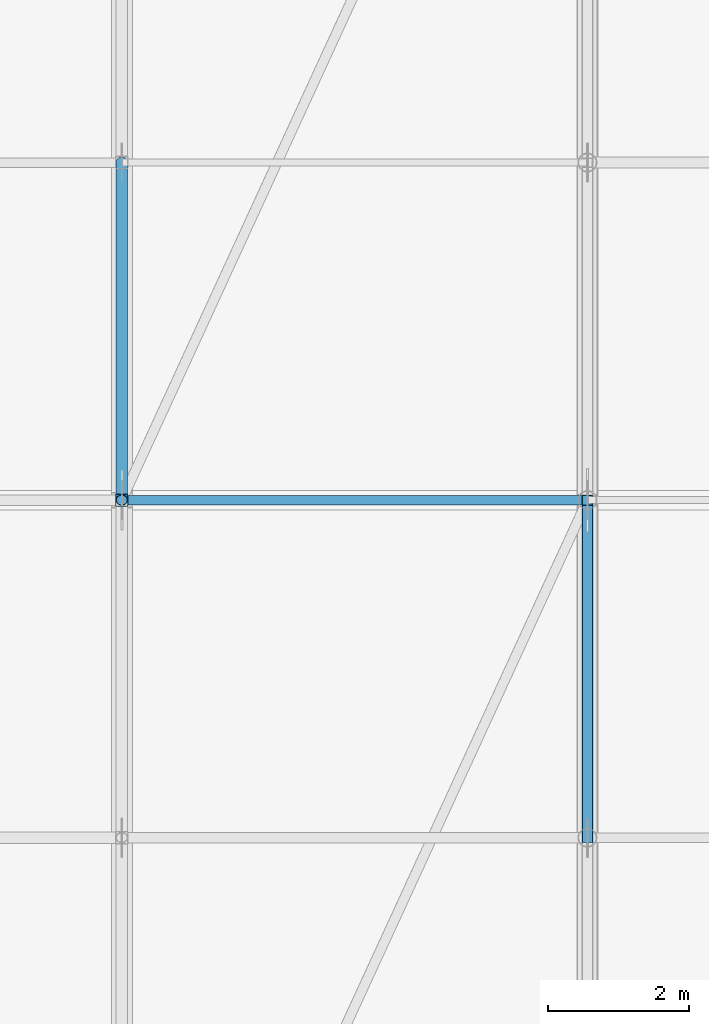
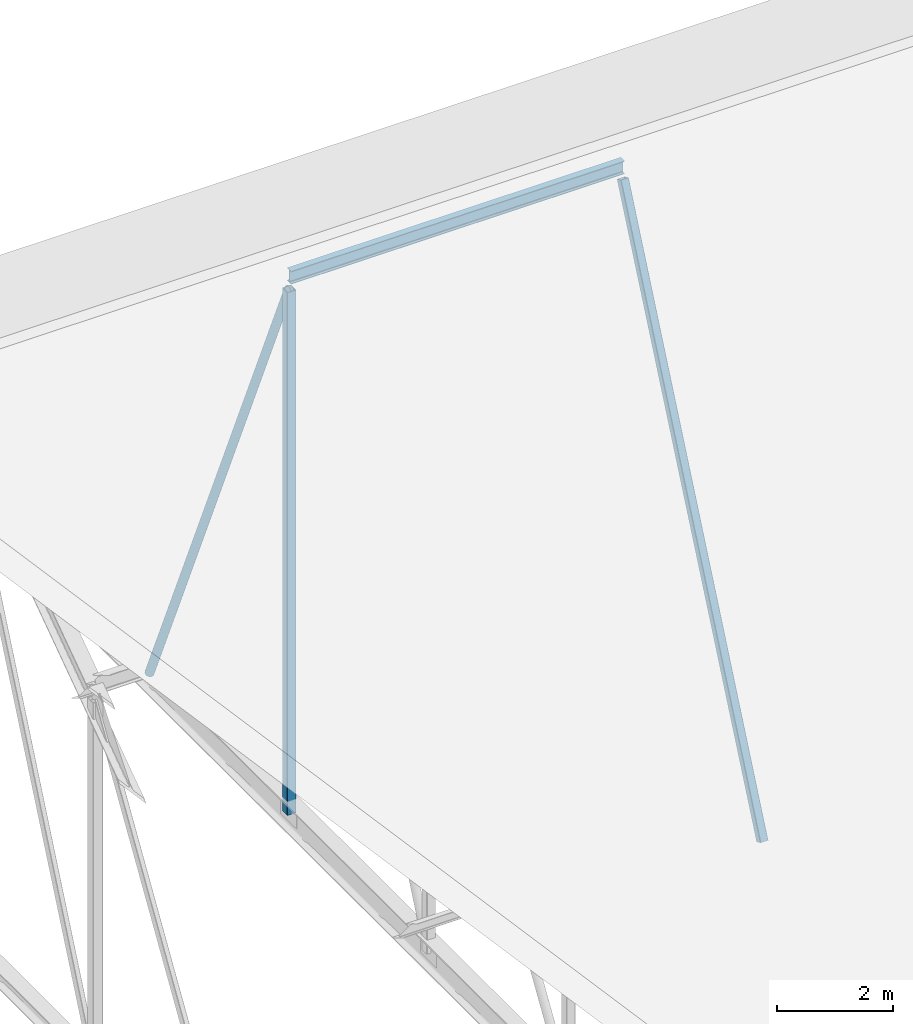
# One storey, part 59 of 134: 4 members.
"""IFC4 building model written with IfcOpenShell, lengths in metres."""

from ifc_helpers import new_model, si_unit, direction, frame, origin, origin_2d, place, context, subcontext, project, spatial, hollow_rectangle, hollow_circle, i_section, extrude, material, material_profile, profile_set, type_object, element, save


model = new_model("IFC4")

# Units and contexts
model_context = context("Model", 3, precision=1e-05, world=origin(), true_north=direction((0.0, 1.0)))
body_context = subcontext(model_context, "Body", "Model", "MODEL_VIEW")
ifc_project = project(units=[si_unit("LENGTHUNIT", "METRE"), si_unit("AREAUNIT", "SQUARE_METRE"), si_unit("VOLUMEUNIT", "CUBIC_METRE"), si_unit("PLANEANGLEUNIT", "RADIAN"), si_unit("MASSUNIT", "GRAM", prefix="KILO")], contexts=[model_context])

# Site, building, storey
site_placement = place(None, origin())
site = spatial("IfcSite", under=ifc_project, at=site_placement, CompositionType="ELEMENT")
building_placement = place(site_placement, origin())
building = spatial("IfcBuilding", under=site, at=building_placement, Name="Asteropetra Specialist Clinic", CompositionType="ELEMENT")
storey_placement = place(building_placement, frame((0.0, 0.0, 8.5)))
storey = spatial("IfcBuildingStorey", under=building, at=storey_placement, Name="L02", CompositionType="ELEMENT", Elevation=8.5)

# Members
ifc_material_1 = material(Name="Steel S355", Category="steel")
ifc_material_profile_1 = material_profile(ifc_material_1, hollow_circle(Radius=0.084228515625, WallThickness=0.008056640625, at=origin_2d()), Name="CHS 168.3x8.0")
ifc_profile_set_1 = profile_set([ifc_material_profile_1], Name="Steel S355")
member_type_1 = type_object("IfcMemberType", Name="TR-BRC-CHS168", PredefinedType="BRACE", material=ifc_profile_set_1)
member_1_placement = place(storey_placement, frame((113.3798828125, 91.199951171875, 11.4609375), z_axis=(0.0, 0.400994294125, -0.916080551087), x_axis=(-1.0, 0.0, 0.0)))
element("IfcMember", 1, at=member_1_placement, inside=storey, type_object=member_type_1, Name="Truss Web Diagonal TRV1-D05-3", PredefinedType="BRACE", context=body_context, shape_type="SweptSolid", body=[
    extrude(hollow_circle(Radius=0.084228515625, WallThickness=0.008056640625, at=origin_2d()), origin(), (0.0, 0.0, 1.0), 11.970458984375),
])
ifc_material_2 = material(Name="Steel S355", Category="steel")
ifc_material_profile_2 = material_profile(ifc_material_2, hollow_rectangle(XDim=0.159912109375, YDim=0.159912109375, WallThickness=0.008056640625, InnerFilletRadius=0.008056640625, OuterFilletRadius=0.01611328125, at=origin_2d()), Name="SHS 160x160x8.0")
ifc_profile_set_2 = profile_set([ifc_material_profile_2], Name="Steel S355")
member_type_2 = type_object("IfcMemberType", Name="TR-BRC-SHS160", PredefinedType="BRACE", material=ifc_profile_set_2)
member_2_placement = place(storey_placement, frame((120.0, 86.39990234375, 0.469970703125), z_axis=(0.0, 0.400223947017, 0.916417367925), x_axis=(-1.0, 0.0, 0.0)))
element("IfcMember", 2, at=member_2_placement, inside=storey, type_object=member_type_2, Name="Truss Web Diagonal TRV1-D06-2", PredefinedType="BRACE", context=body_context, shape_type="SweptSolid", body=[
    extrude(hollow_rectangle(XDim=0.159912109375, YDim=0.159912109375, WallThickness=0.008056640625, InnerFilletRadius=0.008056640625, OuterFilletRadius=0.01611328125, at=origin_2d()), origin(), (0.0, 0.0, 1.0), 11.993408203125),
])
ifc_material_3 = material(Name="Steel S355", Category="steel")
ifc_material_profile_3 = material_profile(ifc_material_3, i_section(OverallWidth=0.135009765625, OverallDepth=0.27001953125, WebThickness=0.006591796875, FlangeThickness=0.01025390625, FilletRadius=0.014892578125, at=origin_2d()), Name="IPE 270")
ifc_profile_set_3 = profile_set([ifc_material_profile_3], Name="Steel S355")
member_type_3 = type_object("IfcMemberType", Name="TR-PUR-IPE270", PredefinedType="PURLIN", material=ifc_profile_set_3)
member_3_placement = place(storey_placement, frame((113.3798828125, 91.199951171875, 11.73095703125), z_axis=(1.0, 0.0, 0.0), x_axis=(0.0, 1.0, 0.0)))
element("IfcMember", 3, at=member_3_placement, inside=storey, type_object=member_type_3, Name="Roof Purlin TRV1-P05-05", PredefinedType="PURLIN", context=body_context, shape_type="SweptSolid", body=[
    extrude(i_section(OverallWidth=0.135009765625, OverallDepth=0.27001953125, WebThickness=0.006591796875, FlangeThickness=0.01025390625, FilletRadius=0.014892578125, at=origin_2d()), origin(), (0.0, 0.0, 1.0), 6.6201171875),
])
ifc_material_4 = material(Name="Steel S355", Category="steel")
ifc_material_profile_4 = material_profile(ifc_material_4, hollow_rectangle(XDim=0.179931640625, YDim=0.179931640625, WallThickness=0.010009765625, InnerFilletRadius=0.008056640625, OuterFilletRadius=0.01611328125, at=origin_2d()), Name="SHS 180x180x10.0")
ifc_profile_set_4 = profile_set([ifc_material_profile_4], Name="Steel S355")
member_type_4 = type_object("IfcMemberType", Name="TR-STR-SHS180", PredefinedType="STRUT", material=ifc_profile_set_4)
member_4_placement = place(storey_placement, frame((113.3798828125, 91.199951171875, 0.4951171875), z_axis=(0.0, 0.0, 1.0), x_axis=(1.0, 0.0, 0.0)))
element("IfcMember", 4, at=member_4_placement, inside=storey, type_object=member_type_4, Name="Truss Web Strut TRV1-V05-3", PredefinedType="STRUT", context=body_context, shape_type="SweptSolid", body=[
    extrude(hollow_rectangle(XDim=0.179931640625, YDim=0.179931640625, WallThickness=0.010009765625, InnerFilletRadius=0.008056640625, OuterFilletRadius=0.01611328125, at=origin_2d()), origin(), (0.0, 0.0, 1.0), 10.9658203125),
])

save(model, "model.ifc")
